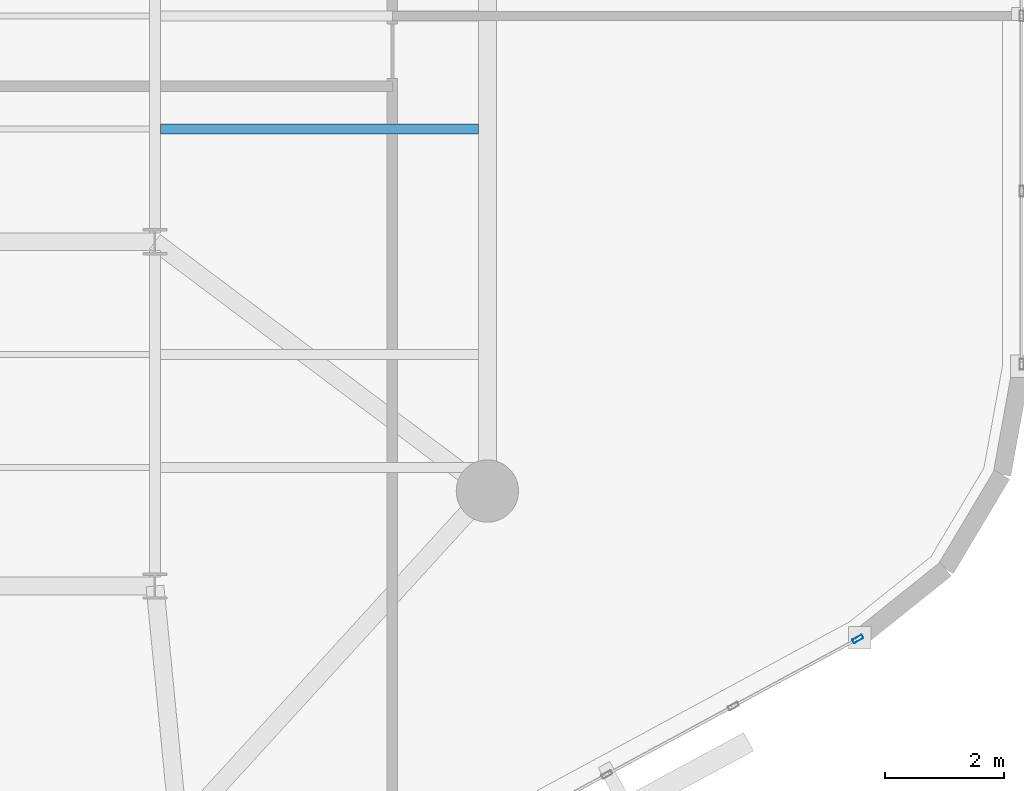
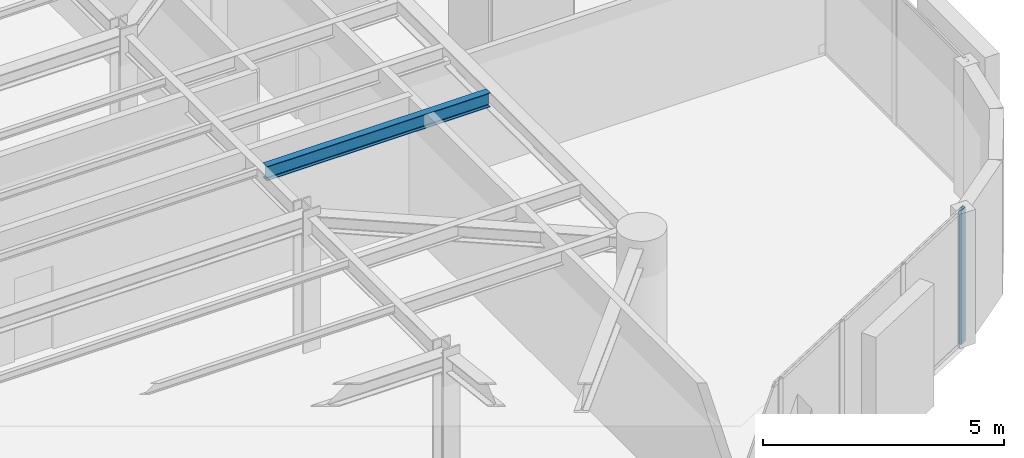
# One storey, part 3 of 13: 1 beam, 1 member, 1 element without a shape of its own.
"""IFC4 building model written with IfcOpenShell, lengths in metres."""

from ifc_helpers import new_model, si_unit, direction, frame, origin, origin_2d, place, context, subcontext, project, spatial, hollow_rectangle, i_section, extrude, material, layer, layer_set, material_profile, profile_set, type_object, element, aggregate, save


model = new_model("IFC4")

# Units and contexts
model_context = context("Model", 3, precision=1e-05, world=origin(), true_north=direction((0.0, 1.0)))
body_context = subcontext(model_context, "Body", "Model", "MODEL_VIEW")
ifc_project = project(units=[si_unit("LENGTHUNIT", "METRE"), si_unit("AREAUNIT", "SQUARE_METRE"), si_unit("VOLUMEUNIT", "CUBIC_METRE"), si_unit("PLANEANGLEUNIT", "RADIAN"), si_unit("MASSUNIT", "GRAM", prefix="KILO")], contexts=[model_context])

# Site, building, storey
site_placement = place(None, origin())
site = spatial("IfcSite", under=ifc_project, at=site_placement, CompositionType="ELEMENT")
building_placement = place(site_placement, origin())
building = spatial("IfcBuilding", under=site, at=building_placement, Name="An Khanh Terracotta Commons", CompositionType="ELEMENT")
storey_placement = place(building_placement, frame((0.0, 0.0, 201.300048828125)))
storey = spatial("IfcBuildingStorey", under=building, at=storey_placement, Name="L52", CompositionType="ELEMENT", Elevation=201.300048828125)

# Beam
ifc_material_1 = material(Name="Steel S355J2", Category="steel")
ifc_material_profile_1 = material_profile(ifc_material_1, i_section(OverallWidth=0.169921875, OverallDepth=0.360107421875, WebThickness=0.008056640625, FlangeThickness=0.0126953125, FilletRadius=0.01806640625, at=origin_2d()), Name="IPE360")
ifc_profile_set_1 = profile_set([ifc_material_profile_1], Name="Steel S355J2")
beam_type = type_object("IfcBeamType", Name="BM-IPE360", PredefinedType="JOIST", material=ifc_profile_set_1)
beam_placement = place(storey_placement, frame((54.094970703125, 22.10009765625, 3.219970703125), z_axis=(1.0, 0.0, 0.0), x_axis=(0.0, 1.0, 0.0)))
element("IfcBeam", 1, at=beam_placement, inside=storey, type_object=beam_type, Name="L52 Riverfront Composite Joist 3", PredefinedType="JOIST", context=body_context, shape_type="SweptSolid", body=[
    extrude(i_section(OverallWidth=0.169921875, OverallDepth=0.360107421875, WebThickness=0.008056640625, FlangeThickness=0.0126953125, FilletRadius=0.01806640625, at=origin_2d()), origin(), (0.0, 0.0, 1.0), 5.35498046875),
])

# Curtain wall, member
ifc_material_2 = material(Name="Anodised Aluminium 6063-T6", Category="aluminium")
ifc_layer = layer(ifc_material_2, 0.2099609375, Name="Anodised Aluminium 6063-T6")
ifc_layer_set = layer_set([ifc_layer], Name="Anodised Aluminium 6063-T6")
curtain_wall_type = type_object("IfcCurtainWallType", Name="CW-SYS-03", PredefinedType="USERDEFINED", material=ifc_layer_set)
curtain_wall_placement = place(storey_placement, origin())
curtain_wall = element("IfcCurtainWall", 2, at=curtain_wall_placement, inside=storey, type_object=curtain_wall_type, Name="L52 CW-03 Unitised Curtain Wall CW-L52-08", ObjectType="UNITISED CURTAIN WALL", PredefinedType="USERDEFINED")
ifc_material_profile_2 = material_profile(ifc_material_2, hollow_rectangle(XDim=0.070068359375, YDim=0.179931640625, WallThickness=0.00390625, InnerFilletRadius=0.00390625, OuterFilletRadius=0.008056640625, at=origin_2d()), Name="RHS180x70x4")
ifc_profile_set_2 = profile_set([ifc_material_profile_2], Name="Anodised Aluminium 6063-T6")
member_type = type_object("IfcMemberType", Name="CWM-RHS180x70x4", PredefinedType="MULLION", material=ifc_profile_set_2)
member_placement = place(storey_placement, frame((65.84130859375, 13.50927734375, 0.0), z_axis=(0.0, 0.0, 1.0), x_axis=(-0.47538088298, 0.879780095306, 0.0)))
member = element("IfcMember", 3, at=member_placement, type_object=member_type, Name="CW-03 mullion 5", PredefinedType="MULLION", context=body_context, shape_type="SweptSolid", body=[
    extrude(hollow_rectangle(XDim=0.070068359375, YDim=0.179931640625, WallThickness=0.00390625, InnerFilletRadius=0.00390625, OuterFilletRadius=0.008056640625, at=origin_2d()), origin(), (0.0, 0.0, 1.0), 3.39990234375),
])
aggregate(curtain_wall, [member])

save(model, "model.ifc")
